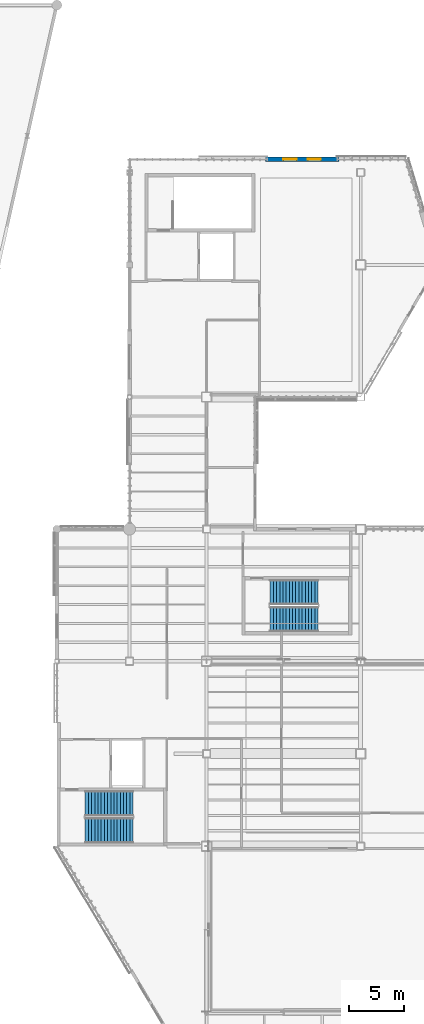
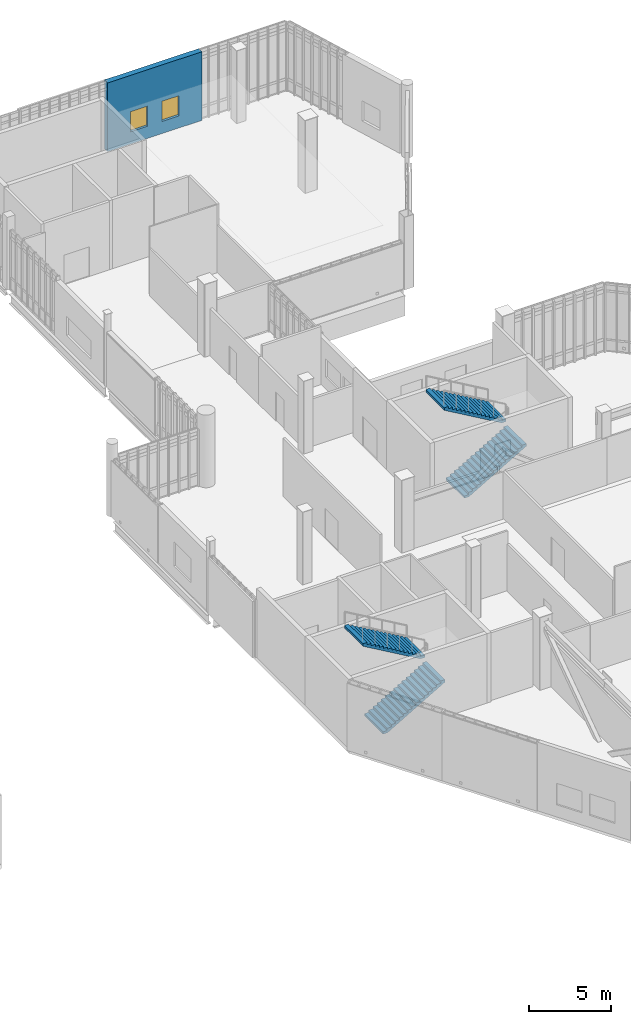
# One storey, part 122 of 135: 4 stair flights, 2 windows, 1 wall, 2 openings, 2 elements without a shape of their own.
"""IFC4 building model written with IfcOpenShell, lengths in metres."""

from ifc_helpers import new_model, si_unit, direction, frame, frame_2d, origin, place, context, subcontext, project, spatial, polyline, rectangle, outline, extrude, material, layer, layer_set, type_object, element, fill, aggregate, save


model = new_model("IFC4")

# Units and contexts
model_context = context("Model", 3, precision=1e-05, world=origin(), true_north=direction((0.0, 1.0)))
body_context = subcontext(model_context, "Body", "Model", "MODEL_VIEW")
ifc_project = project(units=[si_unit("LENGTHUNIT", "METRE"), si_unit("AREAUNIT", "SQUARE_METRE"), si_unit("VOLUMEUNIT", "CUBIC_METRE"), si_unit("PLANEANGLEUNIT", "RADIAN"), si_unit("MASSUNIT", "GRAM", prefix="KILO")], contexts=[model_context])

# Site, building, storey
site_placement = place(None, origin())
site = spatial("IfcSite", under=ifc_project, at=site_placement, CompositionType="ELEMENT")
building_placement = place(site_placement, origin())
building = spatial("IfcBuilding", under=site, at=building_placement, Name="Larkvane Passage Sports Hall", CompositionType="ELEMENT")
storey_placement = place(building_placement, frame((0.0, 0.0, 16.800048828125)))
storey = spatial("IfcBuildingStorey", under=building, at=storey_placement, Name="L03", CompositionType="ELEMENT", Elevation=16.800048828125)

# Wall, openings, windows
ifc_material_1 = material(Name="Concrete C40/50", Category="concrete")
ifc_layer = layer(ifc_material_1, 0.385009765625)
ifc_layer_set = layer_set([ifc_layer], Name="Concrete C40/50")
wall_type = type_object("IfcWallType", Name="WL-EXT-385", PredefinedType="SOLIDWALL", material=ifc_layer_set)
wall_placement = place(storey_placement, frame((136.965087890625, 85.199951171875, 0.0), z_axis=(0.0, 0.0, 1.0), x_axis=(1.0, 0.0, 0.0)))
wall = element("IfcWall", 1, at=wall_placement, inside=storey, type_object=wall_type, Name="Exterior wall WAL-EXT-L03-163", PredefinedType="SOLIDWALL", context=body_context, shape_type="SweptSolid", body=[
    extrude(rectangle(XDim=6.644775390625, YDim=0.385009765625, at=frame_2d((3.322265625, 0.0))), origin(), (0.0, 0.0, 1.0), 5.099853515625),
])
opening_1_placement = place(wall_placement, frame((1.614990234375, 0.0, 0.89990234375)))
opening_1 = element("IfcOpeningElement", 2, at=opening_1_placement, cuts=wall, Name="Opening W-07", PredefinedType="OPENING", context=body_context, shape_type="SweptSolid", body=[
    extrude(rectangle(XDim=1.199951171875, YDim=1.5, at=frame_2d((0.60009765625, 0.75))), frame((0.0, 0.202392578125, 0.0), z_axis=(0.0, -1.0, 0.0), x_axis=(1.0, 0.0, 0.0)), (0.0, 0.0, 1.0), 0.405029296875),
])
opening_2_placement = place(wall_placement, frame((3.830078125, 0.0, 0.89990234375)))
opening_2 = element("IfcOpeningElement", 3, at=opening_2_placement, cuts=wall, Name="Opening W-07", PredefinedType="OPENING", context=body_context, shape_type="SweptSolid", body=[
    extrude(rectangle(XDim=1.199951171875, YDim=1.5, at=frame_2d((0.60009765625, 0.75))), frame((0.0, 0.202392578125, 0.0), z_axis=(0.0, -1.0, 0.0), x_axis=(1.0, 0.0, 0.0)), (0.0, 0.0, 1.0), 0.405029296875),
])
ifc_material_2 = material(Name="Thermally broken aluminium and laminated low-E glass", Category="aluminium")
window_type = type_object("IfcWindowType", Name="WN-CAS-1200x1500", PartitioningType="DOUBLE_PANEL_VERTICAL", PredefinedType="WINDOW", material=ifc_material_2)
window_1_placement = place(opening_1_placement, origin())
window_1 = element("IfcWindow", 4, at=window_1_placement, inside=storey, type_object=window_type, Name="Window L03-061", OverallHeight=1.5, OverallWidth=1.199951171875, PartitioningType="DOUBLE_PANEL_VERTICAL", PredefinedType="WINDOW", context=body_context, shape_type="SweptSolid", body=[
    extrude(rectangle(XDim=1.199951171875, YDim=1.5, at=frame_2d((0.60009765625, 0.75))), frame((0.0, 0.030029296875, 0.0), z_axis=(0.0, -1.0, 0.0), x_axis=(1.0, 0.0, 0.0)), (0.0, 0.0, 1.0), 0.06005859375),
])
fill(opening_1, window_1)
window_2_placement = place(opening_2_placement, origin())
window_2 = element("IfcWindow", 5, at=window_2_placement, inside=storey, type_object=window_type, Name="Window L03-062", OverallHeight=1.5, OverallWidth=1.199951171875, PartitioningType="DOUBLE_PANEL_VERTICAL", PredefinedType="WINDOW", context=body_context, shape_type="SweptSolid", body=[
    extrude(rectangle(XDim=1.199951171875, YDim=1.5, at=frame_2d((0.60009765625, 0.75))), frame((0.0, 0.030029296875, 0.0), z_axis=(0.0, -1.0, 0.0), x_axis=(1.0, 0.0, 0.0)), (0.0, 0.0, 1.0), 0.06005859375),
])
fill(opening_2, window_2)

# Stair, stair flights
stair_type = type_object("IfcStairType", Name="STR-CORE-2250", PredefinedType="HALF_TURN_STAIR", material=ifc_material_1)
stair_1_placement = place(storey_placement, origin())
stair_1 = element("IfcStair", 6, at=stair_1_placement, inside=storey, type_object=stair_type, Name="L03 Protected exit stair ST-05", PredefinedType="HALF_TURN_STAIR")
stair_flight_type = type_object("IfcStairFlightType", Name="SFL-RC-2250", PredefinedType="STRAIGHT", material=ifc_material_1)
stair_flight_1_placement = place(storey_placement, frame((120.580078125, 24.22509765625, 0.0), z_axis=(0.0, 0.0, 1.0), x_axis=(1.0, 0.0, 0.0)))
stair_flight_1 = element("IfcStairFlight", 7, at=stair_flight_1_placement, type_object=stair_flight_type, Name="ST-05 flight 1", NumberOfRisers=16, NumberOfTreads=15, PredefinedType="STRAIGHT", RiserHeight=0.16875, TreadLength=0.29, context=body_context, shape_type="SweptSolid", body=[
    extrude(outline(polyline([(0.0, 0.0), (0.0, 0.168701171875), (0.2900390625, 0.168701171875), (0.2900390625, 0.33740234375), (0.580078125, 0.33740234375), (0.580078125, 0.50634765625), (0.8701171875, 0.50634765625), (0.8701171875, 0.675048828125), (1.159912109375, 0.675048828125), (1.159912109375, 0.84375), (1.449951171875, 0.84375), (1.449951171875, 1.012451171875), (1.739990234375, 1.012451171875), (1.739990234375, 1.18115234375), (2.030029296875, 1.18115234375), (2.030029296875, 1.35009765625), (2.320068359375, 1.35009765625), (2.320068359375, 1.518798828125), (2.610107421875, 1.518798828125), (2.610107421875, 1.6875), (2.89990234375, 1.6875), (2.89990234375, 1.856201171875), (3.18994140625, 1.856201171875), (3.18994140625, 2.02490234375), (3.47998046875, 2.02490234375), (3.47998046875, 2.19384765625), (3.77001953125, 2.19384765625), (3.77001953125, 2.362548828125), (4.06005859375, 2.362548828125), (4.06005859375, 2.53125), (4.35009765625, 2.53125), (4.35009765625, 2.699951171875), (4.35009765625, 2.34619140625), (0.31787109375, 0.0), (0.0, 0.0)])), frame((0.0, 1.125, 0.0), z_axis=(0.0, -1.0, 0.0), x_axis=(1.0, 0.0, 0.0)), (0.0, 0.0, 1.0), 2.25),
])
stair_flight_2_placement = place(storey_placement, frame((124.929931640625, 26.675048828125, 2.699951171875), z_axis=(0.0, 0.0, 1.0), x_axis=(-1.0, 0.0, 0.0)))
stair_flight_2 = element("IfcStairFlight", 8, at=stair_flight_2_placement, type_object=stair_flight_type, Name="ST-05 flight 2", NumberOfRisers=16, NumberOfTreads=15, PredefinedType="STRAIGHT", RiserHeight=0.16875, TreadLength=0.29, context=body_context, shape_type="SweptSolid", body=[
    extrude(outline(polyline([(0.0, 0.0), (0.0, 0.168701171875), (0.2900390625, 0.168701171875), (0.2900390625, 0.33740234375), (0.580078125, 0.33740234375), (0.580078125, 0.50634765625), (0.8701171875, 0.50634765625), (0.8701171875, 0.675048828125), (1.159912109375, 0.675048828125), (1.159912109375, 0.84375), (1.449951171875, 0.84375), (1.449951171875, 1.012451171875), (1.739990234375, 1.012451171875), (1.739990234375, 1.18115234375), (2.030029296875, 1.18115234375), (2.030029296875, 1.35009765625), (2.320068359375, 1.35009765625), (2.320068359375, 1.518798828125), (2.610107421875, 1.518798828125), (2.610107421875, 1.6875), (2.89990234375, 1.6875), (2.89990234375, 1.856201171875), (3.18994140625, 1.856201171875), (3.18994140625, 2.02490234375), (3.47998046875, 2.02490234375), (3.47998046875, 2.19384765625), (3.77001953125, 2.19384765625), (3.77001953125, 2.362548828125), (4.06005859375, 2.362548828125), (4.06005859375, 2.53125), (4.35009765625, 2.53125), (4.35009765625, 2.699951171875), (4.35009765625, 2.34619140625), (0.31787109375, 0.0), (0.0, 0.0)])), frame((0.0, 1.125, 0.0), z_axis=(0.0, -1.0, 0.0), x_axis=(1.0, 0.0, 0.0)), (0.0, 0.0, 1.0), 2.25),
])
aggregate(stair_1, [stair_flight_1, stair_flight_2])

stair_2_placement = place(storey_placement, origin())
stair_2 = element("IfcStair", 9, at=stair_2_placement, inside=storey, type_object=stair_type, Name="L03 Protected exit stair ST-07", PredefinedType="HALF_TURN_STAIR")
stair_flight_3_placement = place(storey_placement, frame((137.3798828125, 43.425048828125, 0.0), z_axis=(0.0, 0.0, 1.0), x_axis=(1.0, 0.0, 0.0)))
stair_flight_3 = element("IfcStairFlight", 10, at=stair_flight_3_placement, type_object=stair_flight_type, Name="ST-07 flight 1", NumberOfRisers=16, NumberOfTreads=15, PredefinedType="STRAIGHT", RiserHeight=0.16875, TreadLength=0.29, context=body_context, shape_type="SweptSolid", body=[
    extrude(outline(polyline([(0.0, 0.0), (0.0, 0.168701171875), (0.2900390625, 0.168701171875), (0.2900390625, 0.33740234375), (0.580078125, 0.33740234375), (0.580078125, 0.50634765625), (0.8701171875, 0.50634765625), (0.8701171875, 0.675048828125), (1.159912109375, 0.675048828125), (1.159912109375, 0.84375), (1.449951171875, 0.84375), (1.449951171875, 1.012451171875), (1.739990234375, 1.012451171875), (1.739990234375, 1.18115234375), (2.030029296875, 1.18115234375), (2.030029296875, 1.35009765625), (2.320068359375, 1.35009765625), (2.320068359375, 1.518798828125), (2.610107421875, 1.518798828125), (2.610107421875, 1.6875), (2.89990234375, 1.6875), (2.89990234375, 1.856201171875), (3.18994140625, 1.856201171875), (3.18994140625, 2.02490234375), (3.47998046875, 2.02490234375), (3.47998046875, 2.19384765625), (3.77001953125, 2.19384765625), (3.77001953125, 2.362548828125), (4.06005859375, 2.362548828125), (4.06005859375, 2.53125), (4.35009765625, 2.53125), (4.35009765625, 2.699951171875), (4.35009765625, 2.34619140625), (0.31787109375, 0.0), (0.0, 0.0)])), frame((0.0, 1.125, 0.0), z_axis=(0.0, -1.0, 0.0), x_axis=(1.0, 0.0, 0.0)), (0.0, 0.0, 1.0), 2.25),
])
stair_flight_4_placement = place(storey_placement, frame((141.72998046875, 45.875, 2.699951171875), z_axis=(0.0, 0.0, 1.0), x_axis=(-1.0, 0.0, 0.0)))
stair_flight_4 = element("IfcStairFlight", 11, at=stair_flight_4_placement, type_object=stair_flight_type, Name="ST-07 flight 2", NumberOfRisers=16, NumberOfTreads=15, PredefinedType="STRAIGHT", RiserHeight=0.16875, TreadLength=0.29, context=body_context, shape_type="SweptSolid", body=[
    extrude(outline(polyline([(0.0, 0.0), (0.0, 0.168701171875), (0.2900390625, 0.168701171875), (0.2900390625, 0.33740234375), (0.580078125, 0.33740234375), (0.580078125, 0.50634765625), (0.8701171875, 0.50634765625), (0.8701171875, 0.675048828125), (1.159912109375, 0.675048828125), (1.159912109375, 0.84375), (1.449951171875, 0.84375), (1.449951171875, 1.012451171875), (1.739990234375, 1.012451171875), (1.739990234375, 1.18115234375), (2.030029296875, 1.18115234375), (2.030029296875, 1.35009765625), (2.320068359375, 1.35009765625), (2.320068359375, 1.518798828125), (2.610107421875, 1.518798828125), (2.610107421875, 1.6875), (2.89990234375, 1.6875), (2.89990234375, 1.856201171875), (3.18994140625, 1.856201171875), (3.18994140625, 2.02490234375), (3.47998046875, 2.02490234375), (3.47998046875, 2.19384765625), (3.77001953125, 2.19384765625), (3.77001953125, 2.362548828125), (4.06005859375, 2.362548828125), (4.06005859375, 2.53125), (4.35009765625, 2.53125), (4.35009765625, 2.699951171875), (4.35009765625, 2.34619140625), (0.31787109375, 0.0), (0.0, 0.0)])), frame((0.0, 1.125, 0.0), z_axis=(0.0, -1.0, 0.0), x_axis=(1.0, 0.0, 0.0)), (0.0, 0.0, 1.0), 2.25),
])
aggregate(stair_2, [stair_flight_3, stair_flight_4])

save(model, "model.ifc")
